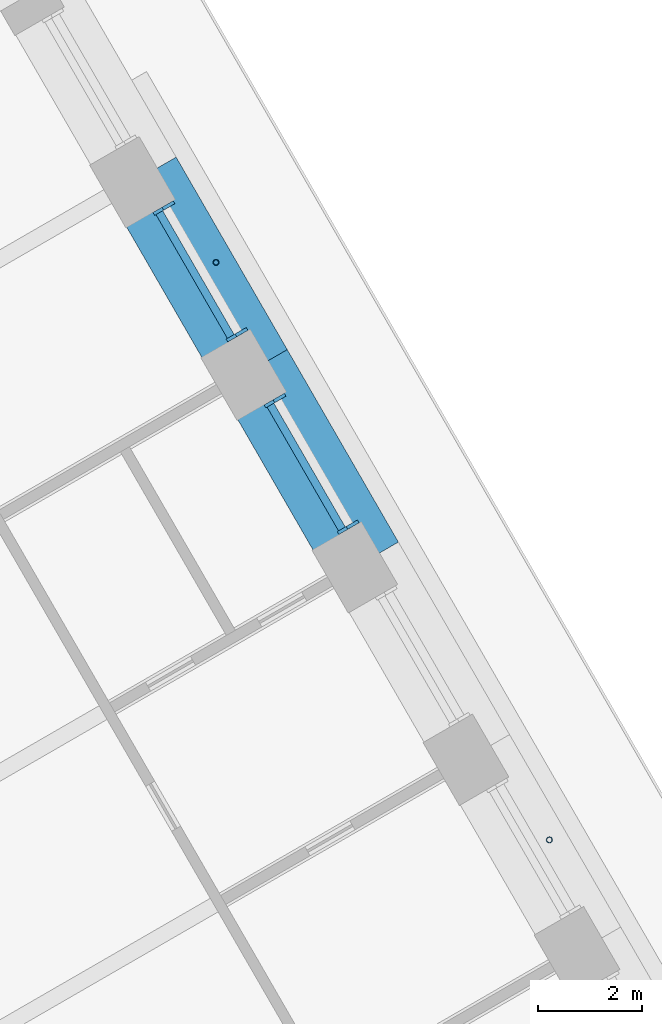
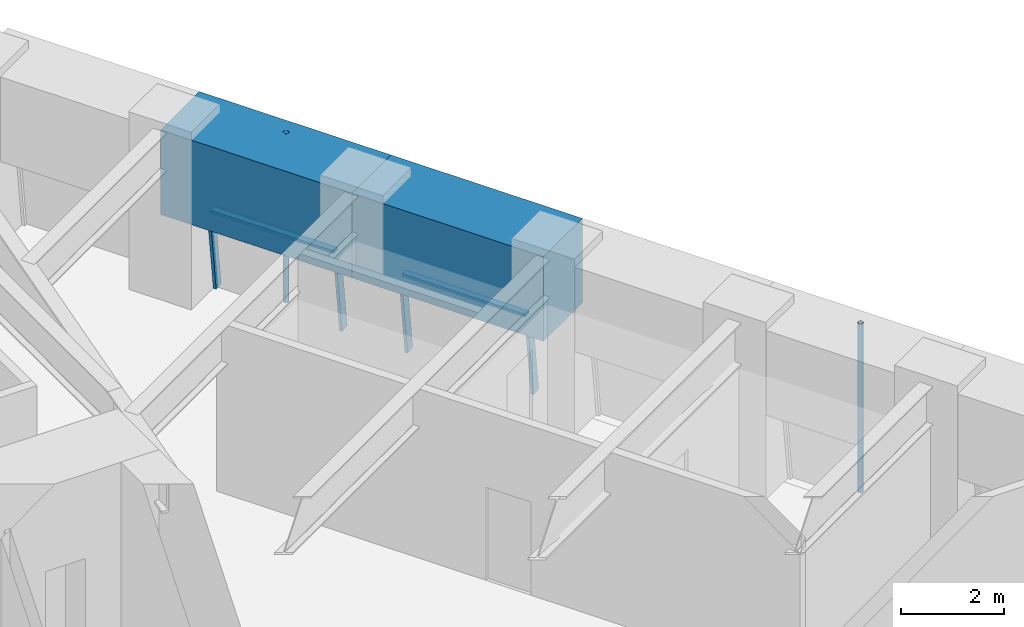
# One storey, part 10 of 18: 8 members, 2 beams, 2 elements without a shape of their own.
"""IFC4 building model written with IfcOpenShell, lengths in metres."""

from ifc_helpers import new_model, si_unit, direction, frame, origin, origin_2d, place, context, subcontext, project, spatial, rectangle, hollow_circle, extrude, material, material_profile, profile_set, type_object, element, aggregate, save


model = new_model("IFC4")

# Units and contexts
model_context = context("Model", 3, precision=1e-05, world=origin(), true_north=direction((0.0, 1.0)))
body_context = subcontext(model_context, "Body", "Model", "MODEL_VIEW")
ifc_project = project(units=[si_unit("LENGTHUNIT", "METRE"), si_unit("AREAUNIT", "SQUARE_METRE"), si_unit("VOLUMEUNIT", "CUBIC_METRE"), si_unit("PLANEANGLEUNIT", "RADIAN"), si_unit("MASSUNIT", "GRAM", prefix="KILO")], contexts=[model_context])

# Site, building, storey
site_placement = place(None, origin())
site = spatial("IfcSite", under=ifc_project, at=site_placement, CompositionType="ELEMENT")
building_placement = place(site_placement, origin())
building = spatial("IfcBuilding", under=site, at=building_placement, Name="Tarfa Lantern Tower", CompositionType="ELEMENT")
storey_placement = place(building_placement, frame((0.0, 0.0, 319.89990234375)))
storey = spatial("IfcBuildingStorey", under=building, at=storey_placement, Name="L72", CompositionType="ELEMENT", Elevation=319.89990234375)

# Curtain wall, members
ifc_material_1 = material(Name="Aluminium framed curtain wall", Category="aluminium")
curtain_wall_type = type_object("IfcCurtainWallType", Name="CW4 CANTED GLAZING EXECUTIVE ZONE 2000", PredefinedType="USERDEFINED", material=ifc_material_1)
curtain_wall_1_placement = place(storey_placement, origin())
curtain_wall_1 = element("IfcCurtainWall", 1, at=curtain_wall_1_placement, inside=storey, type_object=curtain_wall_type, Name="CW4 NE L72", ObjectType="CURTAIN WALL", PredefinedType="USERDEFINED")
ifc_material_2 = material(Name="Aluminium mullion", Category="aluminium")
ifc_material_profile_1 = material_profile(ifc_material_2, rectangle(XDim=0.06494140625, YDim=0.199951171875, at=origin_2d()), Name="AL MULLION 65x200")
ifc_profile_set_1 = profile_set([ifc_material_profile_1], Name="Aluminium mullion")
member_type_1 = type_object("IfcMemberType", Name="CWM1 MULLION 65x200", PredefinedType="MULLION", material=ifc_profile_set_1)
member_1_placement = place(storey_placement, frame((22.71337890625, 13.95947265625, 0.0), z_axis=(-0.107439978116, -0.062017213975, 0.992275423596), x_axis=(0.499919672301, -0.866071776036, 0.0)))
member_1 = element("IfcMember", 2, at=member_1_placement, type_object=member_type_1, Name="CW4 mullion 1", PredefinedType="MULLION", context=body_context, shape_type="SweptSolid", body=[
    extrude(rectangle(XDim=0.06494140625, YDim=0.199951171875, at=origin_2d()), origin(), (0.0, 0.0, 1.0), 2.015625),
])
member_2_placement = place(storey_placement, frame((21.304931640625, 16.39892578125, 0.0), z_axis=(-0.107439978116, -0.062017213975, 0.992275423596), x_axis=(0.499919672301, -0.866071776036, 0.0)))
member_2 = element("IfcMember", 3, at=member_2_placement, type_object=member_type_1, Name="CW4 mullion 2", PredefinedType="MULLION", context=body_context, shape_type="SweptSolid", body=[
    extrude(rectangle(XDim=0.06494140625, YDim=0.199951171875, at=origin_2d()), origin(), (0.0, 0.0, 1.0), 2.015625),
])

curtain_wall_2_placement = place(storey_placement, origin())
curtain_wall_2 = element("IfcCurtainWall", 4, at=curtain_wall_2_placement, inside=storey, type_object=curtain_wall_type, Name="CW4 NE L72", ObjectType="CURTAIN WALL", PredefinedType="USERDEFINED")
member_3_placement = place(storey_placement, frame((20.572265625, 17.667724609375, 0.0), z_axis=(-0.107439978116, -0.062017213975, 0.992275423596), x_axis=(0.499919672301, -0.866071776036, 0.0)))
member_3 = element("IfcMember", 5, at=member_3_placement, type_object=member_type_1, Name="CW4 mullion 1", PredefinedType="MULLION", context=body_context, shape_type="SweptSolid", body=[
    extrude(rectangle(XDim=0.06494140625, YDim=0.199951171875, at=origin_2d()), origin(), (0.0, 0.0, 1.0), 2.015625),
])
member_4_placement = place(storey_placement, frame((19.163818359375, 20.107421875, 0.0), z_axis=(-0.107439978116, -0.062017213975, 0.992275423596), x_axis=(0.499919672301, -0.866071776036, 0.0)))
member_4 = element("IfcMember", 6, at=member_4_placement, type_object=member_type_1, Name="CW4 mullion 2", PredefinedType="MULLION", context=body_context, shape_type="SweptSolid", body=[
    extrude(rectangle(XDim=0.06494140625, YDim=0.199951171875, at=origin_2d()), origin(), (0.0, 0.0, 1.0), 2.015625),
])

# Member
ifc_material_3 = material(Name="Aluminium transom", Category="aluminium")
ifc_material_profile_2 = material_profile(ifc_material_3, rectangle(XDim=0.14990234375, YDim=0.06494140625, at=origin_2d()), Name="AL TRANSOM 150x65")
ifc_profile_set_2 = profile_set([ifc_material_profile_2], Name="Aluminium transom")
member_type_2 = type_object("IfcMemberType", Name="CWT1 TRANSOM 150x65", PredefinedType="USERDEFINED", material=ifc_profile_set_2)
member_5_placement = place(storey_placement, frame((22.484130859375, 13.864501953125, 1.967529296875), z_axis=(-0.499993790352, 0.866028988896, 0.0), x_axis=(-0.866028988896, -0.499993790352, 0.0)))
member_5 = element("IfcMember", 7, at=member_5_placement, type_object=member_type_2, Name="CW4 transom 1.2", ObjectType="TRANSOM", PredefinedType="USERDEFINED", context=body_context, shape_type="SweptSolid", body=[
    extrude(rectangle(XDim=0.14990234375, YDim=0.06494140625, at=origin_2d()), origin(), (0.0, 0.0, 1.0), 2.751953125),
])

aggregate(curtain_wall_1, [member_1, member_2, member_5])

member_6_placement = place(storey_placement, frame((20.343017578125, 17.57275390625, 1.967529296875), z_axis=(-0.499955378711, 0.866051164365, 0.0), x_axis=(-0.866051164365, -0.499955378711, 0.0)))
member_6 = element("IfcMember", 8, at=member_6_placement, type_object=member_type_2, Name="CW4 transom 1.2", ObjectType="TRANSOM", PredefinedType="USERDEFINED", context=body_context, shape_type="SweptSolid", body=[
    extrude(rectangle(XDim=0.14990234375, YDim=0.06494140625, at=origin_2d()), origin(), (0.0, 0.0, 1.0), 2.752197265625),
])

aggregate(curtain_wall_2, [member_3, member_4, member_6])

# Beams
ifc_material_4 = material(Name="Concrete C80/95", Category="concrete")
ifc_material_profile_3 = material_profile(ifc_material_4, rectangle(XDim=1.5, YDim=2.0, at=origin_2d()), Name="RC 1500x2000")
ifc_profile_set_3 = profile_set([ifc_material_profile_3], Name="Concrete C80/95")
beam_type = type_object("IfcBeamType", Name="RB3 RC 1500x2000", PredefinedType="BEAM", material=ifc_profile_set_3)
for number, where, z_axis, x_axis, name in (
    (9, (22.923583984375, 13.235107421875, 3.0), (-0.499984039138, 0.866034618596, 0.0), (-0.866034618596, -0.499984039138, 0.0), "Edge beam NE3"),
    (10, (20.78271484375, 16.943359375, 3.0), (-0.500026801138, 0.866009929587, 0.0), (-0.866009929587, -0.500026801138, 0.0), "Edge beam NE4"),
):
    element("IfcBeam", number, at=place(storey_placement, frame(where, z_axis=z_axis, x_axis=x_axis)), inside=storey, type_object=beam_type, Name=name, PredefinedType="BEAM", context=body_context, shape_type="SweptSolid", body=[
        extrude(rectangle(XDim=1.5, YDim=2.0, at=origin_2d()), origin(), (0.0, 0.0, 1.0), 4.281982421875),
    ])

# Members
ifc_material_5 = material(Name="Steel S355", Category="steel")
ifc_material_profile_4 = material_profile(ifc_material_5, hollow_circle(Radius=0.05712890625, WallThickness=0.00634765625, at=origin_2d()), Name="CHS114.3x6.3")
ifc_profile_set_4 = profile_set([ifc_material_profile_4], Name="Steel S355")
member_type_3 = type_object("IfcMemberType", Name="TR1 GREEN WALL TRELLIS CHS114.3x6.3", PredefinedType="USERDEFINED", material=ifc_profile_set_4)
for number, where, z_axis, x_axis, name in (
    (11, (26.481689453125, 7.87255859375, 0.0), (0.0, 0.0, 1.0), (1.0, 0.0, 0.0), "Trellis post NE 1"),
    (12, (20.05859375, 18.99755859375, 0.0), (0.0, 0.0, 1.0), (1.0, 0.0, 0.0), "Trellis post NE 2"),
):
    element("IfcMember", number, at=place(storey_placement, frame(where, z_axis=z_axis, x_axis=x_axis)), inside=storey, type_object=member_type_3, Name=name, ObjectType="TRELLIS", PredefinedType="USERDEFINED", context=body_context, shape_type="SweptSolid", body=[
        extrude(hollow_circle(Radius=0.05712890625, WallThickness=0.00634765625, at=origin_2d()), origin(), (0.0, 0.0, 1.0), 4.0),
    ])

save(model, "model.ifc")
